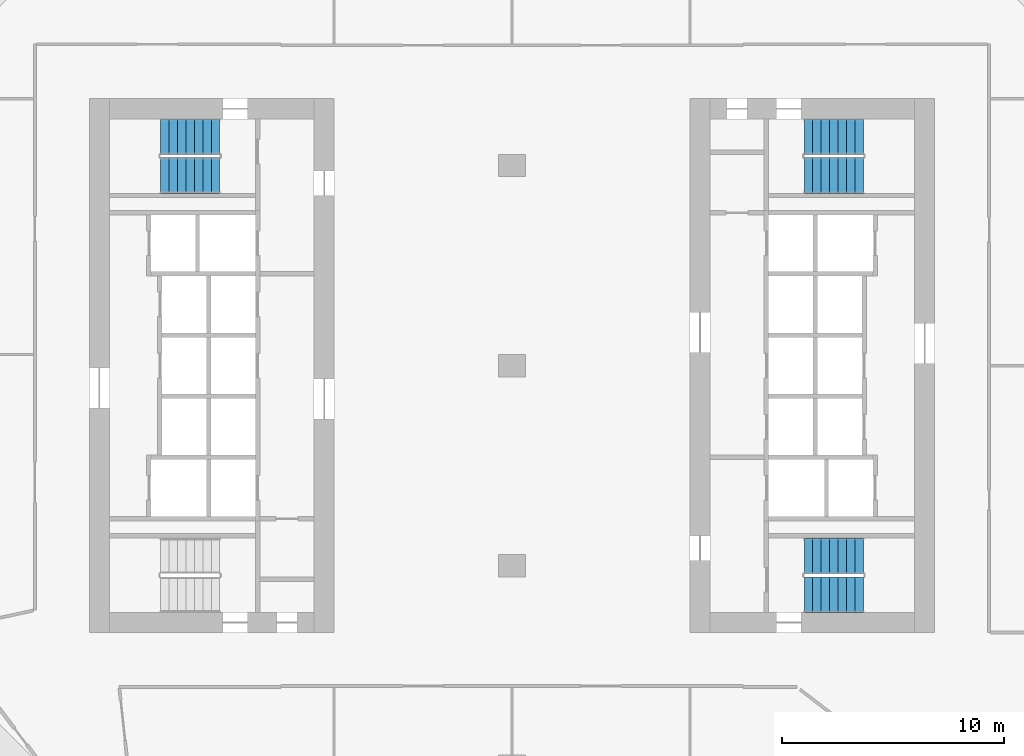
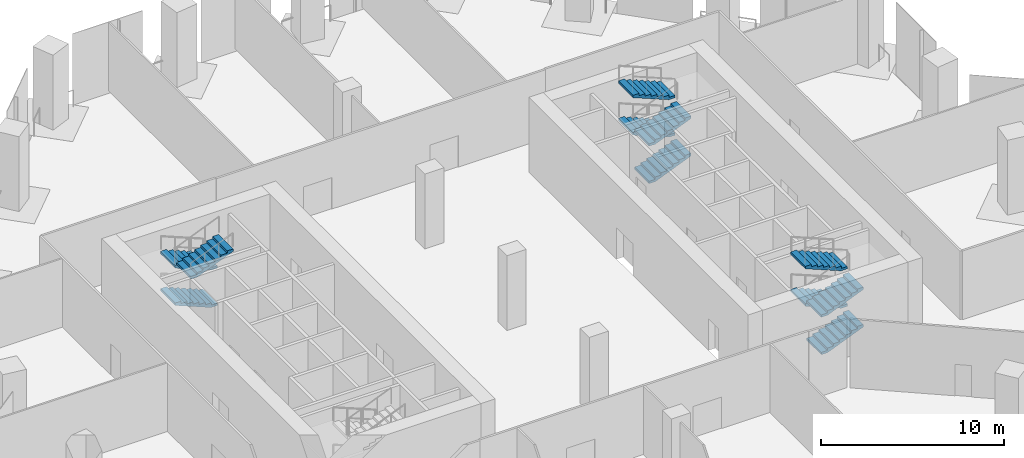
# One storey, part 23 of 27: 11 stair flights, 3 elements without a shape of their own.
"""IFC4 building model written with IfcOpenShell, lengths in metres."""

from ifc_helpers import new_model, si_unit, direction, frame, origin, place, context, subcontext, project, spatial, polyline, outline, extrude, material, type_object, element, aggregate, save


model = new_model("IFC4")

# Units and contexts
model_context = context("Model", 3, precision=1e-05, world=origin(), true_north=direction((0.0, 1.0)))
body_context = subcontext(model_context, "Body", "Model", "MODEL_VIEW")
ifc_project = project(units=[si_unit("LENGTHUNIT", "METRE"), si_unit("AREAUNIT", "SQUARE_METRE"), si_unit("VOLUMEUNIT", "CUBIC_METRE"), si_unit("PLANEANGLEUNIT", "RADIAN"), si_unit("MASSUNIT", "GRAM", prefix="KILO")], contexts=[model_context])

# Site, building, storey
site_placement = place(None, origin())
site = spatial("IfcSite", under=ifc_project, at=site_placement, CompositionType="ELEMENT")
building_placement = place(site_placement, origin())
building = spatial("IfcBuilding", under=site, at=building_placement, Name="Orlundy Tower", CompositionType="ELEMENT")
storey_placement = place(building_placement, frame((0.0, 0.0, 10.5)))
storey = spatial("IfcBuildingStorey", under=building, at=storey_placement, Name="L01", CompositionType="ELEMENT", Elevation=10.5)

# Stair, stair flights
ifc_material_1 = material(Name="Concrete C50/60", Category="concrete")
stair_type = type_object("IfcStairType", Name="Exit Stair 32 risers", PredefinedType="HALF_TURN_STAIR", material=ifc_material_1)
stair_1_placement = place(storey_placement, origin())
stair_1 = element("IfcStair", 1, at=stair_1_placement, inside=storey, type_object=stair_type, Name="L01 Exit Stair ST-W1", PredefinedType="HALF_TURN_STAIR")
ifc_material_2 = material(Name="Concrete C50/60", Category="concrete")
stair_flight_type = type_object("IfcStairFlightType", Name="Stair Flight 8 risers", PredefinedType="STRAIGHT", material=ifc_material_2)
stair_flight_1_placement = place(storey_placement, frame((-13.139892578125, 10.300048828125, 0.0), z_axis=(0.0, 0.0, 1.0), x_axis=(-1.0, 0.0, 0.0)))
stair_flight_1 = element("IfcStairFlight", 2, at=stair_flight_1_placement, type_object=stair_flight_type, Name="ST-W1 flight 1", NumberOfRisers=8, NumberOfTreads=7, PredefinedType="STRAIGHT", RiserHeight=0.15625, TreadLength=0.38, context=body_context, shape_type="SweptSolid", body=[
    extrude(outline(polyline([(0.0, 0.0), (0.0, 0.15625), (0.3798828125, 0.15625), (0.3798828125, 0.3125), (0.760009765625, 0.3125), (0.760009765625, 0.46875), (1.139892578125, 0.46875), (1.139892578125, 0.625), (1.52001953125, 0.625), (1.52001953125, 0.78125), (1.89990234375, 0.78125), (1.89990234375, 0.9375), (2.280029296875, 0.9375), (2.280029296875, 1.09375), (2.659912109375, 1.09375), (2.659912109375, 1.25), (2.659912109375, 0.931640625), (0.394287109375, 0.0), (0.0, 0.0)])), frame((0.0, 0.800048828125, 0.0), z_axis=(0.0, -1.0, 0.0), x_axis=(1.0, 0.0, 0.0)), (0.0, 0.0, 1.0), 1.60009765625),
])
stair_flight_2_placement = place(storey_placement, frame((-13.139892578125, 10.300048828125, 2.5), z_axis=(0.0, 0.0, 1.0), x_axis=(-1.0, 0.0, 0.0)))
stair_flight_2 = element("IfcStairFlight", 3, at=stair_flight_2_placement, type_object=stair_flight_type, Name="ST-W1 flight 3", NumberOfRisers=8, NumberOfTreads=7, PredefinedType="STRAIGHT", RiserHeight=0.15625, TreadLength=0.38, context=body_context, shape_type="SweptSolid", body=[
    extrude(outline(polyline([(0.0, 0.0), (0.0, 0.15625), (0.3798828125, 0.15625), (0.3798828125, 0.3125), (0.760009765625, 0.3125), (0.760009765625, 0.46875), (1.139892578125, 0.46875), (1.139892578125, 0.625), (1.52001953125, 0.625), (1.52001953125, 0.78125), (1.89990234375, 0.78125), (1.89990234375, 0.9375), (2.280029296875, 0.9375), (2.280029296875, 1.09375), (2.659912109375, 1.09375), (2.659912109375, 1.25), (2.659912109375, 0.931640625), (0.394287109375, 0.0), (0.0, 0.0)])), frame((0.0, 0.800048828125, 0.0), z_axis=(0.0, -1.0, 0.0), x_axis=(1.0, 0.0, 0.0)), (0.0, 0.0, 1.0), 1.60009765625),
])
stair_flight_3_placement = place(storey_placement, frame((-15.800048828125, 8.550048828125, 3.75), z_axis=(0.0, 0.0, 1.0), x_axis=(1.0, 0.0, 0.0)))
stair_flight_3 = element("IfcStairFlight", 4, at=stair_flight_3_placement, type_object=stair_flight_type, Name="ST-W1 flight 4", NumberOfRisers=8, NumberOfTreads=7, PredefinedType="STRAIGHT", RiserHeight=0.15625, TreadLength=0.38, context=body_context, shape_type="SweptSolid", body=[
    extrude(outline(polyline([(0.0, 0.0), (0.0, 0.15625), (0.3798828125, 0.15625), (0.3798828125, 0.3125), (0.760009765625, 0.3125), (0.760009765625, 0.46875), (1.139892578125, 0.46875), (1.139892578125, 0.625), (1.52001953125, 0.625), (1.52001953125, 0.78125), (1.89990234375, 0.78125), (1.89990234375, 0.9375), (2.280029296875, 0.9375), (2.280029296875, 1.09375), (2.659912109375, 1.09375), (2.659912109375, 1.25), (2.659912109375, 0.931640625), (0.394287109375, 0.0), (0.0, 0.0)])), frame((0.0, 0.800048828125, 0.0), z_axis=(0.0, -1.0, 0.0), x_axis=(1.0, 0.0, 0.0)), (0.0, 0.0, 1.0), 1.60009765625),
])
aggregate(stair_1, [stair_flight_1, stair_flight_2, stair_flight_3])

stair_2_placement = place(storey_placement, origin())
stair_2 = element("IfcStair", 5, at=stair_2_placement, inside=storey, type_object=stair_type, Name="L01 Exit Stair ST-E1", PredefinedType="HALF_TURN_STAIR")
stair_flight_4_placement = place(storey_placement, frame((13.139892578125, -10.300048828125, 0.0), z_axis=(0.0, 0.0, 1.0), x_axis=(1.0, 0.0, 0.0)))
stair_flight_4 = element("IfcStairFlight", 6, at=stair_flight_4_placement, type_object=stair_flight_type, Name="ST-E1 flight 1", NumberOfRisers=8, NumberOfTreads=7, PredefinedType="STRAIGHT", RiserHeight=0.15625, TreadLength=0.38, context=body_context, shape_type="SweptSolid", body=[
    extrude(outline(polyline([(0.0, 0.0), (0.0, 0.15625), (0.3798828125, 0.15625), (0.3798828125, 0.3125), (0.760009765625, 0.3125), (0.760009765625, 0.46875), (1.139892578125, 0.46875), (1.139892578125, 0.625), (1.52001953125, 0.625), (1.52001953125, 0.78125), (1.89990234375, 0.78125), (1.89990234375, 0.9375), (2.280029296875, 0.9375), (2.280029296875, 1.09375), (2.659912109375, 1.09375), (2.659912109375, 1.25), (2.659912109375, 0.931640625), (0.394287109375, 0.0), (0.0, 0.0)])), frame((0.0, 0.800048828125, 0.0), z_axis=(0.0, -1.0, 0.0), x_axis=(1.0, 0.0, 0.0)), (0.0, 0.0, 1.0), 1.60009765625),
])
stair_flight_5_placement = place(storey_placement, frame((15.800048828125, -8.550048828125, 1.25), z_axis=(0.0, 0.0, 1.0), x_axis=(-1.0, 0.0, 0.0)))
stair_flight_5 = element("IfcStairFlight", 7, at=stair_flight_5_placement, type_object=stair_flight_type, Name="ST-E1 flight 2", NumberOfRisers=8, NumberOfTreads=7, PredefinedType="STRAIGHT", RiserHeight=0.15625, TreadLength=0.38, context=body_context, shape_type="SweptSolid", body=[
    extrude(outline(polyline([(0.0, 0.0), (0.0, 0.15625), (0.3798828125, 0.15625), (0.3798828125, 0.3125), (0.760009765625, 0.3125), (0.760009765625, 0.46875), (1.139892578125, 0.46875), (1.139892578125, 0.625), (1.52001953125, 0.625), (1.52001953125, 0.78125), (1.89990234375, 0.78125), (1.89990234375, 0.9375), (2.280029296875, 0.9375), (2.280029296875, 1.09375), (2.659912109375, 1.09375), (2.659912109375, 1.25), (2.659912109375, 0.931640625), (0.394287109375, 0.0), (0.0, 0.0)])), frame((0.0, 0.800048828125, 0.0), z_axis=(0.0, -1.0, 0.0), x_axis=(1.0, 0.0, 0.0)), (0.0, 0.0, 1.0), 1.60009765625),
])
stair_flight_6_placement = place(storey_placement, frame((13.139892578125, -10.300048828125, 2.5), z_axis=(0.0, 0.0, 1.0), x_axis=(1.0, 0.0, 0.0)))
stair_flight_6 = element("IfcStairFlight", 8, at=stair_flight_6_placement, type_object=stair_flight_type, Name="ST-E1 flight 3", NumberOfRisers=8, NumberOfTreads=7, PredefinedType="STRAIGHT", RiserHeight=0.15625, TreadLength=0.38, context=body_context, shape_type="SweptSolid", body=[
    extrude(outline(polyline([(0.0, 0.0), (0.0, 0.15625), (0.3798828125, 0.15625), (0.3798828125, 0.3125), (0.760009765625, 0.3125), (0.760009765625, 0.46875), (1.139892578125, 0.46875), (1.139892578125, 0.625), (1.52001953125, 0.625), (1.52001953125, 0.78125), (1.89990234375, 0.78125), (1.89990234375, 0.9375), (2.280029296875, 0.9375), (2.280029296875, 1.09375), (2.659912109375, 1.09375), (2.659912109375, 1.25), (2.659912109375, 0.931640625), (0.394287109375, 0.0), (0.0, 0.0)])), frame((0.0, 0.800048828125, 0.0), z_axis=(0.0, -1.0, 0.0), x_axis=(1.0, 0.0, 0.0)), (0.0, 0.0, 1.0), 1.60009765625),
])
stair_flight_7_placement = place(storey_placement, frame((15.800048828125, -8.550048828125, 3.75), z_axis=(0.0, 0.0, 1.0), x_axis=(-1.0, 0.0, 0.0)))
stair_flight_7 = element("IfcStairFlight", 9, at=stair_flight_7_placement, type_object=stair_flight_type, Name="ST-E1 flight 4", NumberOfRisers=8, NumberOfTreads=7, PredefinedType="STRAIGHT", RiserHeight=0.15625, TreadLength=0.38, context=body_context, shape_type="SweptSolid", body=[
    extrude(outline(polyline([(0.0, 0.0), (0.0, 0.15625), (0.3798828125, 0.15625), (0.3798828125, 0.3125), (0.760009765625, 0.3125), (0.760009765625, 0.46875), (1.139892578125, 0.46875), (1.139892578125, 0.625), (1.52001953125, 0.625), (1.52001953125, 0.78125), (1.89990234375, 0.78125), (1.89990234375, 0.9375), (2.280029296875, 0.9375), (2.280029296875, 1.09375), (2.659912109375, 1.09375), (2.659912109375, 1.25), (2.659912109375, 0.931640625), (0.394287109375, 0.0), (0.0, 0.0)])), frame((0.0, 0.800048828125, 0.0), z_axis=(0.0, -1.0, 0.0), x_axis=(1.0, 0.0, 0.0)), (0.0, 0.0, 1.0), 1.60009765625),
])
aggregate(stair_2, [stair_flight_4, stair_flight_5, stair_flight_6, stair_flight_7])

stair_3_placement = place(storey_placement, origin())
stair_3 = element("IfcStair", 10, at=stair_3_placement, inside=storey, type_object=stair_type, Name="L01 Exit Stair ST-E2", PredefinedType="HALF_TURN_STAIR")
stair_flight_8_placement = place(storey_placement, frame((13.139892578125, 8.550048828125, 0.0), z_axis=(0.0, 0.0, 1.0), x_axis=(1.0, 0.0, 0.0)))
stair_flight_8 = element("IfcStairFlight", 11, at=stair_flight_8_placement, type_object=stair_flight_type, Name="ST-E2 flight 1", NumberOfRisers=8, NumberOfTreads=7, PredefinedType="STRAIGHT", RiserHeight=0.15625, TreadLength=0.38, context=body_context, shape_type="SweptSolid", body=[
    extrude(outline(polyline([(0.0, 0.0), (0.0, 0.15625), (0.3798828125, 0.15625), (0.3798828125, 0.3125), (0.760009765625, 0.3125), (0.760009765625, 0.46875), (1.139892578125, 0.46875), (1.139892578125, 0.625), (1.52001953125, 0.625), (1.52001953125, 0.78125), (1.89990234375, 0.78125), (1.89990234375, 0.9375), (2.280029296875, 0.9375), (2.280029296875, 1.09375), (2.659912109375, 1.09375), (2.659912109375, 1.25), (2.659912109375, 0.931640625), (0.394287109375, 0.0), (0.0, 0.0)])), frame((0.0, 0.800048828125, 0.0), z_axis=(0.0, -1.0, 0.0), x_axis=(1.0, 0.0, 0.0)), (0.0, 0.0, 1.0), 1.60009765625),
])
stair_flight_9_placement = place(storey_placement, frame((15.800048828125, 10.300048828125, 1.25), z_axis=(0.0, 0.0, 1.0), x_axis=(-1.0, 0.0, 0.0)))
stair_flight_9 = element("IfcStairFlight", 12, at=stair_flight_9_placement, type_object=stair_flight_type, Name="ST-E2 flight 2", NumberOfRisers=8, NumberOfTreads=7, PredefinedType="STRAIGHT", RiserHeight=0.15625, TreadLength=0.38, context=body_context, shape_type="SweptSolid", body=[
    extrude(outline(polyline([(0.0, 0.0), (0.0, 0.15625), (0.3798828125, 0.15625), (0.3798828125, 0.3125), (0.760009765625, 0.3125), (0.760009765625, 0.46875), (1.139892578125, 0.46875), (1.139892578125, 0.625), (1.52001953125, 0.625), (1.52001953125, 0.78125), (1.89990234375, 0.78125), (1.89990234375, 0.9375), (2.280029296875, 0.9375), (2.280029296875, 1.09375), (2.659912109375, 1.09375), (2.659912109375, 1.25), (2.659912109375, 0.931640625), (0.394287109375, 0.0), (0.0, 0.0)])), frame((0.0, 0.800048828125, 0.0), z_axis=(0.0, -1.0, 0.0), x_axis=(1.0, 0.0, 0.0)), (0.0, 0.0, 1.0), 1.60009765625),
])
stair_flight_10_placement = place(storey_placement, frame((13.139892578125, 8.550048828125, 2.5), z_axis=(0.0, 0.0, 1.0), x_axis=(1.0, 0.0, 0.0)))
stair_flight_10 = element("IfcStairFlight", 13, at=stair_flight_10_placement, type_object=stair_flight_type, Name="ST-E2 flight 3", NumberOfRisers=8, NumberOfTreads=7, PredefinedType="STRAIGHT", RiserHeight=0.15625, TreadLength=0.38, context=body_context, shape_type="SweptSolid", body=[
    extrude(outline(polyline([(0.0, 0.0), (0.0, 0.15625), (0.3798828125, 0.15625), (0.3798828125, 0.3125), (0.760009765625, 0.3125), (0.760009765625, 0.46875), (1.139892578125, 0.46875), (1.139892578125, 0.625), (1.52001953125, 0.625), (1.52001953125, 0.78125), (1.89990234375, 0.78125), (1.89990234375, 0.9375), (2.280029296875, 0.9375), (2.280029296875, 1.09375), (2.659912109375, 1.09375), (2.659912109375, 1.25), (2.659912109375, 0.931640625), (0.394287109375, 0.0), (0.0, 0.0)])), frame((0.0, 0.800048828125, 0.0), z_axis=(0.0, -1.0, 0.0), x_axis=(1.0, 0.0, 0.0)), (0.0, 0.0, 1.0), 1.60009765625),
])
stair_flight_11_placement = place(storey_placement, frame((15.800048828125, 10.300048828125, 3.75), z_axis=(0.0, 0.0, 1.0), x_axis=(-1.0, 0.0, 0.0)))
stair_flight_11 = element("IfcStairFlight", 14, at=stair_flight_11_placement, type_object=stair_flight_type, Name="ST-E2 flight 4", NumberOfRisers=8, NumberOfTreads=7, PredefinedType="STRAIGHT", RiserHeight=0.15625, TreadLength=0.38, context=body_context, shape_type="SweptSolid", body=[
    extrude(outline(polyline([(0.0, 0.0), (0.0, 0.15625), (0.3798828125, 0.15625), (0.3798828125, 0.3125), (0.760009765625, 0.3125), (0.760009765625, 0.46875), (1.139892578125, 0.46875), (1.139892578125, 0.625), (1.52001953125, 0.625), (1.52001953125, 0.78125), (1.89990234375, 0.78125), (1.89990234375, 0.9375), (2.280029296875, 0.9375), (2.280029296875, 1.09375), (2.659912109375, 1.09375), (2.659912109375, 1.25), (2.659912109375, 0.931640625), (0.394287109375, 0.0), (0.0, 0.0)])), frame((0.0, 0.800048828125, 0.0), z_axis=(0.0, -1.0, 0.0), x_axis=(1.0, 0.0, 0.0)), (0.0, 0.0, 1.0), 1.60009765625),
])
aggregate(stair_3, [stair_flight_8, stair_flight_9, stair_flight_10, stair_flight_11])

save(model, "model.ifc")
